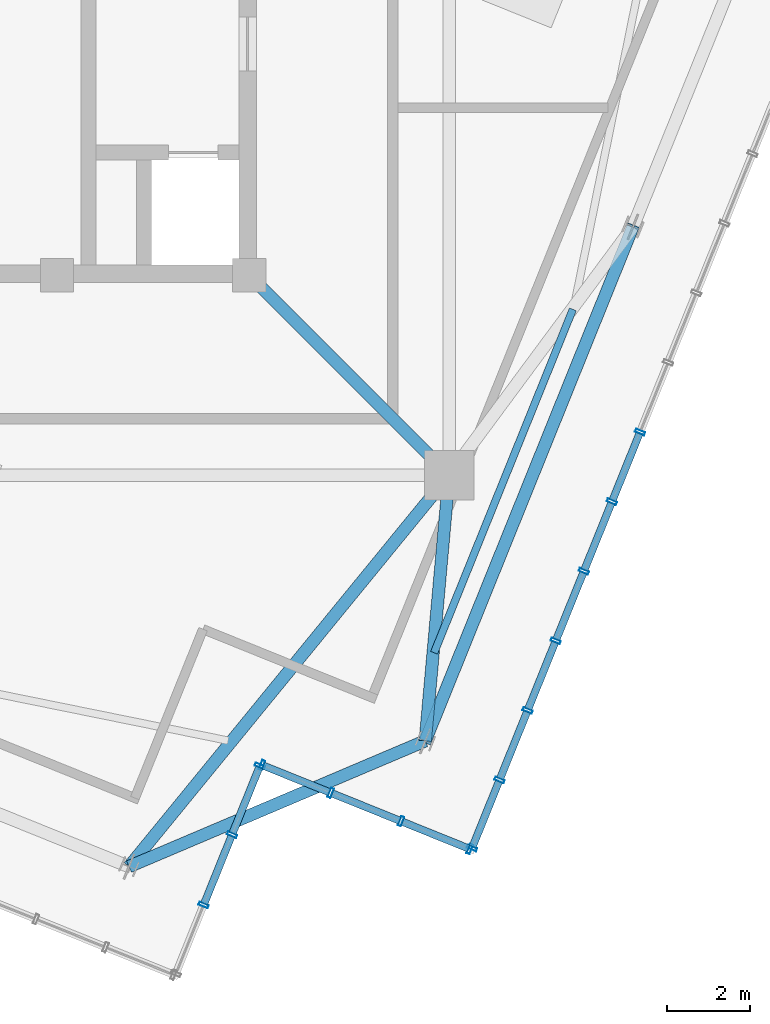
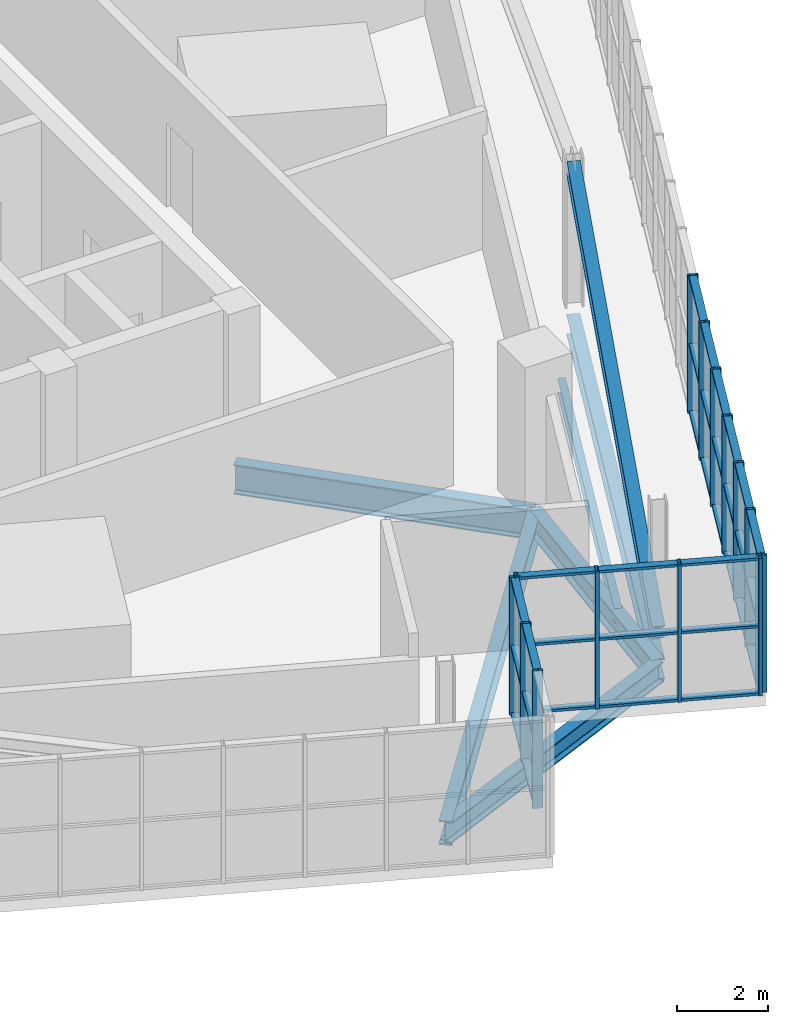
# One storey, part 8 of 26: 48 members, 6 beams, 3 elements without a shape of their own.
"""IFC4 building model written with IfcOpenShell, lengths in metres."""

import ifcopenshell
import ifcopenshell.guid

model = None  # the IFC model being written
_history = None  # IfcOwnerHistory: only IFC2X3 demands one
_inside = {}  # id of a spatial element -> (the spatial element, [elements in it])
_under = {}  # id of a project, library or spatial element -> (it, [spatial elements below it])
_declared = {}  # id of a project -> (the project, [libraries it declares])
_typed = {}  # id of a type object -> (the type object, [elements of that type])
_made_of = {}  # id of a material, layer set ... -> (it, [elements and type objects made of it])


def new_model(schema):
    """Start an empty IFC model of exactly this schema.

    Asked for "IFC4X3", IfcOpenShell would pick the latest addendum, in which some entities
    have other attributes; the version numbers below select the first issue.
    IFC2X3 requires an IfcOwnerHistory on every rooted entity: one is made here for all.
    """
    global model, _history
    if schema == "IFC4X3":
        model = ifcopenshell.file(schema_version=(4, 3, 0, 0))
    else:
        model = ifcopenshell.file(schema=schema)
    _inside.clear()
    _under.clear()
    _declared.clear()
    _typed.clear()
    _made_of.clear()
    _history = None
    if model.schema == "IFC2X3":
        org = make("IfcOrganization", Name="unknown")
        user = make(
            "IfcPersonAndOrganization",
            ThePerson=make("IfcPerson", FamilyName="unknown"),
            TheOrganization=org,
        )
        app = make(
            "IfcApplication",
            ApplicationDeveloper=org,
            Version="unknown",
            ApplicationFullName="unknown",
            ApplicationIdentifier="unknown",
        )
        _history = make(
            "IfcOwnerHistory",
            OwningUser=user,
            OwningApplication=app,
            ChangeAction="ADDED",
            CreationDate=0,
        )
    return model


def make(cls, **values):
    """One entity of the class cls with the attributes given. An attribute that is None is left unset."""
    return model.create_entity(
        cls, **{name: value for name, value in values.items() if value is not None}
    )


def rooted(cls, **values):
    """An entity with a GlobalId (a new one), such as an element, a storey or a relation."""
    return make(cls, GlobalId=ifcopenshell.guid.new(), OwnerHistory=_history, **values)


def si_unit(unit_type, name, prefix=None):
    """IfcSIUnit, for example si_unit("LENGTHUNIT", "METRE", prefix="MILLI")."""
    return make("IfcSIUnit", UnitType=unit_type, Prefix=prefix, Name=name)


def assignment(units):
    """IfcUnitAssignment: the units of a project."""
    return None if units is None else make("IfcUnitAssignment", Units=units)


def point(xyz):
    """IfcCartesianPoint."""
    return None if xyz is None else make("IfcCartesianPoint", Coordinates=xyz)


def direction(xyz):
    """IfcDirection."""
    return None if xyz is None else make("IfcDirection", DirectionRatios=xyz)


def frame(location, z_axis=None, x_axis=None):
    """IfcAxis2Placement3D, a coordinate frame: its origin and axes. An axis left out is left unset."""
    return make(
        "IfcAxis2Placement3D",
        Location=point(location),
        Axis=direction(z_axis),
        RefDirection=direction(x_axis),
    )


def frame_2d(location, x_axis=None):
    """IfcAxis2Placement2D, a coordinate frame in the plane: its origin and x axis."""
    return make(
        "IfcAxis2Placement2D", Location=point(location), RefDirection=direction(x_axis)
    )


def origin():
    """The frame at (0, 0, 0) with its axes left unset."""
    return frame((0.0, 0.0, 0.0))


def origin_2d():
    """The frame at (0, 0) in the plane with its x axis left unset."""
    return frame_2d((0.0, 0.0))


def place(relative_to, where):
    """IfcLocalPlacement: puts the frame where relative to a parent placement (None: the world)."""
    return make(
        "IfcLocalPlacement", PlacementRelTo=relative_to, RelativePlacement=where
    )


def context(
    kind, dimensions, precision=None, world=None, true_north=None, identifier=None
):
    """IfcGeometricRepresentationContext, for example the 3D "Model" context."""
    return make(
        "IfcGeometricRepresentationContext",
        ContextIdentifier=identifier,
        ContextType=kind,
        CoordinateSpaceDimension=dimensions,
        Precision=precision,
        WorldCoordinateSystem=world,
        TrueNorth=true_north,
    )


def subcontext(parent, identifier, kind, view, scale=None):
    """IfcGeometricRepresentationSubContext, for example "Body" below "Model"."""
    return make(
        "IfcGeometricRepresentationSubContext",
        ContextIdentifier=identifier,
        ContextType=kind,
        ParentContext=parent,
        TargetScale=scale,
        TargetView=view,
    )


def project(units=None, contexts=None):
    """IfcProject with its units and contexts."""
    return rooted(
        "IfcProject",
        Name="project",
        RepresentationContexts=contexts,
        UnitsInContext=assignment(units),
    )


def spatial(cls, under=None, at=None, **own):
    """A site, building, storey or space (cls), placed at a placement, below another one or the project."""
    s = rooted(cls, ObjectPlacement=at, **own)
    if under is not None:
        _under.setdefault(under.id(), (under, []))[1].append(s)
    return s


def profile(cls, at=None, kind="AREA", **sizes):
    """A parametric profile (cls). Its sizes go by their IFC names, for example OverallWidth=200.0."""
    return make(cls, ProfileType=kind, Position=at, **sizes)


def hollow_rectangle(**sizes):
    """IfcRectangleHollowProfileDef."""
    return profile("IfcRectangleHollowProfileDef", **sizes)


def i_section(**sizes):
    """IfcIShapeProfileDef."""
    return profile("IfcIShapeProfileDef", **sizes)


def extrude(swept, where, along, depth):
    """IfcExtrudedAreaSolid: the profile swept, set in the frame where, extruded along a direction by depth."""
    return make(
        "IfcExtrudedAreaSolid",
        SweptArea=swept,
        Position=where,
        ExtrudedDirection=direction(along),
        Depth=depth,
    )


def shape(context_of_items, identifier, shape_type, items):
    """IfcShapeRepresentation: the items that make up one representation, for example the "Body"."""
    return make(
        "IfcShapeRepresentation",
        ContextOfItems=context_of_items,
        RepresentationIdentifier=identifier,
        RepresentationType=shape_type,
        Items=items,
    )


def source(mapping_origin, context_of_items, identifier, shape_type, items):
    """IfcRepresentationMap: a shape defined once, which mapped items show again and again."""
    return make(
        "IfcRepresentationMap",
        MappingOrigin=mapping_origin,
        MappedRepresentation=shape(context_of_items, identifier, shape_type, items),
    )


def transform(
    local_origin,
    x_axis=None,
    y_axis=None,
    z_axis=None,
    scale=None,
    scale2=None,
    scale3=None,
    uniform=True,
):
    """IfcCartesianTransformationOperator3D, or its non-uniform kind. x_axis, y_axis, z_axis: its Axis1, 2, 3."""
    if uniform:
        return make(
            "IfcCartesianTransformationOperator3D",
            Axis1=direction(x_axis),
            Axis2=direction(y_axis),
            LocalOrigin=point(local_origin),
            Scale=scale,
            Axis3=direction(z_axis),
        )
    return make(
        "IfcCartesianTransformationOperator3DnonUniform",
        Axis1=direction(x_axis),
        Axis2=direction(y_axis),
        LocalOrigin=point(local_origin),
        Scale=scale,
        Axis3=direction(z_axis),
        Scale2=scale2,
        Scale3=scale3,
    )


def mapped(mapping_source, mapping_target):
    """IfcMappedItem: shows the shape of a source again, moved by a transform."""
    return make(
        "IfcMappedItem", MappingSource=mapping_source, MappingTarget=mapping_target
    )


def material(Name=None, Category=None):
    """IfcMaterial."""
    return make("IfcMaterial", Name=Name, Category=Category)


def layer(
    of_material, thickness, ventilated=None, Name=None, Category=None, Priority=None
):
    """IfcMaterialLayer: one layer of a wall or slab, of a material (None: an air gap)."""
    return make(
        "IfcMaterialLayer",
        Material=of_material,
        LayerThickness=thickness,
        IsVentilated=ventilated,
        Name=Name,
        Category=Category,
        Priority=Priority,
    )


def layer_set(layers, Name=None):
    """IfcMaterialLayerSet."""
    return make("IfcMaterialLayerSet", MaterialLayers=layers, LayerSetName=Name)


def material_profile(
    of_material, cross_section, Name=None, Category=None, Priority=None
):
    """IfcMaterialProfile: a cross section and its material."""
    return make(
        "IfcMaterialProfile",
        Name=Name,
        Material=of_material,
        Profile=cross_section,
        Priority=Priority,
        Category=Category,
    )


def profile_set(profiles, Name=None, composite=None):
    """IfcMaterialProfileSet."""
    return make(
        "IfcMaterialProfileSet",
        Name=Name,
        MaterialProfiles=profiles,
        CompositeProfile=composite,
    )


def made_of(thing, what):
    """Note that an element or type object is made of a material, layer set ...; save() writes the relation."""
    if what is not None:
        _made_of.setdefault(what.id(), (what, []))[1].append(thing)
    return thing


def type_object(cls, material=None, **own):
    """A type object (cls), such as IfcWallType, which elements share."""
    return made_of(rooted(cls, **own), material)


def element(
    cls,
    number,
    at=None,
    inside=None,
    cuts=None,
    type_object=None,
    material=None,
    context=None,
    identifier="Body",
    shape_type=None,
    held_by="IfcProductDefinitionShape",
    body=None,
    shapes=None,
    **own,
):
    """One element of the class cls, such as IfcWall. Its Tag is "e" and its number.

    at: its placement. inside: the storey or other place that contains it. cuts: it is an
    opening in that element (IfcRelVoidsElement). A single representation is given by context,
    identifier, shape_type and body (its items); several are given by shapes. held_by: the class
    of the entity that holds the representations. save() writes the other relations.
    """
    e = rooted(cls, Tag="e%d" % number, ObjectPlacement=at, **own)
    if body is not None:
        shapes = [shape(context, identifier, shape_type, body)]
    if shapes is not None:
        e.Representation = make(held_by, Representations=shapes)
    if inside is not None:
        _inside.setdefault(inside.id(), (inside, []))[1].append(e)
    if cuts is not None:
        rooted(
            "IfcRelVoidsElement", RelatingBuildingElement=cuts, RelatedOpeningElement=e
        )
    if type_object is not None:
        _typed.setdefault(type_object.id(), (type_object, []))[1].append(e)
    return made_of(e, material)


def aggregate(whole, parts):
    """IfcRelAggregates: a whole, such as a stair, and the parts it consists of."""
    return rooted("IfcRelAggregates", RelatingObject=whole, RelatedObjects=parts)


def save(model, path):
    """Write the relations noted so far, then the file.

    IfcRelAggregates (storeys below a building ...), IfcRelContainedInSpatialStructure (elements
    in a storey), IfcRelDefinesByType, IfcRelAssociatesMaterial and IfcRelDeclares: one each for
    every whole, place, type object, material and project.
    """
    for whole, parts in _under.values():
        aggregate(whole, parts)
    for where, things in _inside.values():
        rooted(
            "IfcRelContainedInSpatialStructure",
            RelatedElements=things,
            RelatingStructure=where,
        )
    for kind, things in _typed.values():
        rooted("IfcRelDefinesByType", RelatedObjects=things, RelatingType=kind)
    for what, things in _made_of.values():
        rooted("IfcRelAssociatesMaterial", RelatedObjects=things, RelatingMaterial=what)
    for by, libraries in _declared.values():
        rooted("IfcRelDeclares", RelatingContext=by, RelatedDefinitions=libraries)
    model.write(path)


model = new_model("IFC4")

# Units and contexts
model_context = context("Model", 3, precision=1e-05, world=origin(), true_north=direction((0.0, 1.0)))
body_context = subcontext(model_context, "Body", "Model", "MODEL_VIEW")
ifc_project = project(units=[si_unit("LENGTHUNIT", "METRE"), si_unit("AREAUNIT", "SQUARE_METRE"), si_unit("VOLUMEUNIT", "CUBIC_METRE"), si_unit("PLANEANGLEUNIT", "RADIAN"), si_unit("MASSUNIT", "GRAM", prefix="KILO"), si_unit("THERMODYNAMICTEMPERATUREUNIT", "KELVIN")], contexts=[model_context])

# Site, building, storey
site_placement = place(None, origin())
site = spatial("IfcSite", under=ifc_project, at=site_placement, CompositionType="ELEMENT")
building_placement = place(site_placement, origin())
building = spatial("IfcBuilding", under=site, at=building_placement, Name="Kosmvard Interchange Tower", CompositionType="ELEMENT")
storey_placement = place(building_placement, frame((0.0, 0.0, 337.60009765625)))
storey = spatial("IfcBuildingStorey", under=building, at=storey_placement, Name="L83", CompositionType="ELEMENT", Elevation=337.60009765625)

# Beam
ifc_material_1 = material(Name="Steel S355", Category="steel")
ifc_material_profile_1 = material_profile(ifc_material_1, i_section(OverallWidth=0.300048828125, OverallDepth=0.800048828125, WebThickness=0.017578125, FlangeThickness=0.032958984375, FilletRadius=0.027099609375, at=origin_2d()), Name="HEB 800")
ifc_profile_set_1 = profile_set([ifc_material_profile_1], Name="Steel S355")
beam_type_1 = type_object("IfcBeamType", Name="Primary Mega-Frame Girder HEB 800 S355", PredefinedType="BEAM", material=ifc_profile_set_1)
shared_shape_1 = source(origin(), body_context, "Body", "SweptSolid", [
    extrude(i_section(OverallWidth=0.300048828125, OverallDepth=0.800048828125, WebThickness=0.017578125, FlangeThickness=0.032958984375, FilletRadius=0.027099609375, at=origin_2d()), origin(), (0.0, 0.0, 1.0), 6.83203125),
])
beam_1_placement = place(storey_placement, frame((8.25, -8.25, -0.7001953125), z_axis=(0.707106781187, -0.707106781187, 0.0), x_axis=(0.707106781187, 0.707106781187, 0.0)))
element("IfcBeam", 1, at=beam_1_placement, inside=storey, type_object=beam_type_1, Name="L83 Radial Mega-Frame Girder 2", PredefinedType="BEAM", context=body_context, shape_type="MappedRepresentation", body=[
    mapped(shared_shape_1, transform((0.0, 0.0, 0.0), scale=1.0)),
])

# Member
ifc_material_profile_2 = material_profile(ifc_material_1, i_section(OverallWidth=0.300048828125, OverallDepth=0.39990234375, WebThickness=0.013427734375, FlangeThickness=0.02392578125, FilletRadius=0.027099609375, at=origin_2d()), Name="HEB 400")
ifc_profile_set_2 = profile_set([ifc_material_profile_2], Name="Steel S355")
member_type_1 = type_object("IfcMemberType", Name="Lantern Crown Diagrid Brace HEB 400 S355", PredefinedType="BRACE", material=ifc_profile_set_2)
shared_shape_2 = source(origin(), body_context, "Body", "SweptSolid", [
    extrude(i_section(OverallWidth=0.300048828125, OverallDepth=0.39990234375, WebThickness=0.013427734375, FlangeThickness=0.02392578125, FilletRadius=0.027099609375, at=origin_2d()), origin(), (0.0, 0.0, 1.0), 13.78369140625),
])
member_1_placement = place(storey_placement, frame((12.504150390625, -19.50439453125, 0.419921875), z_axis=(0.364162635972, 0.901373372792, 0.234332279859), x_axis=(-0.927189515839, 0.374592580972, 0.0)))
element("IfcMember", 2, at=member_1_placement, inside=storey, type_object=member_type_1, Name="L83 Crown Lantern Diagrid Brace S1", PredefinedType="BRACE", context=body_context, shape_type="MappedRepresentation", body=[
    mapped(shared_shape_2, transform((0.0, 0.0, 0.0), scale=1.0)),
])

# Beams
ifc_material_profile_3 = material_profile(ifc_material_1, i_section(OverallWidth=0.300048828125, OverallDepth=0.550048828125, WebThickness=0.014892578125, FlangeThickness=0.029052734375, FilletRadius=0.027099609375, at=origin_2d()), Name="HEB 550")
ifc_profile_set_3 = profile_set([ifc_material_profile_3], Name="Steel S355")
beam_type_2 = type_object("IfcBeamType", Name="Crown Ring Cap Girder HEB 550 S355", PredefinedType="BEAM", material=ifc_profile_set_3)
shared_shape_3 = source(origin(), body_context, "Body", "SweptSolid", [
    extrude(i_section(OverallWidth=0.300048828125, OverallDepth=0.550048828125, WebThickness=0.014892578125, FlangeThickness=0.029052734375, FilletRadius=0.027099609375, at=origin_2d()), origin(), (0.0, 0.0, 1.0), 13.39990234375),
])
beam_2_placement = place(storey_placement, frame((12.504150390625, -19.50439453125, -0.5751953125), z_axis=(0.374592580972, 0.927189515839, 0.0), x_axis=(-0.927189515839, 0.374592580972, 0.0)))
element("IfcBeam", 3, at=beam_2_placement, inside=storey, type_object=beam_type_2, Name="BM-L83-PR01", PredefinedType="BEAM", context=body_context, shape_type="MappedRepresentation", body=[
    mapped(shared_shape_3, transform((0.0, 0.0, 0.0), scale=1.0)),
])
ifc_material_profile_4 = material_profile(ifc_material_1, i_section(OverallWidth=0.300048828125, OverallDepth=0.64990234375, WebThickness=0.01611328125, FlangeThickness=0.031005859375, FilletRadius=0.027099609375, at=origin_2d()), Name="HEB 650")
ifc_profile_set_4 = profile_set([ifc_material_profile_4], Name="Steel S355")
beam_type_3 = type_object("IfcBeamType", Name="Primary Floor Girder HEB 650 S355", PredefinedType="BEAM", material=ifc_profile_set_4)
shared_shape_4 = source(origin(), body_context, "Body", "SweptSolid", [
    extrude(i_section(OverallWidth=0.300048828125, OverallDepth=0.64990234375, WebThickness=0.01611328125, FlangeThickness=0.031005859375, FilletRadius=0.027099609375, at=origin_2d()), origin(), (0.0, 0.0, 1.0), 6.44921875),
])
beam_3_placement = place(storey_placement, frame((13.0810546875, -13.0810546875, -0.625), z_axis=(-0.089453694068, -0.995990982197, 0.0), x_axis=(0.995990982197, -0.089453694068, 0.0)))
element("IfcBeam", 4, at=beam_3_placement, inside=storey, type_object=beam_type_3, Name="BM-L83-RD01", PredefinedType="BEAM", context=body_context, shape_type="MappedRepresentation", body=[
    mapped(shared_shape_4, transform((0.0, 0.0, 0.0), scale=1.0)),
])
shared_shape_5 = source(origin(), body_context, "Body", "SweptSolid", [
    extrude(i_section(OverallWidth=0.300048828125, OverallDepth=0.550048828125, WebThickness=0.014892578125, FlangeThickness=0.029052734375, FilletRadius=0.027099609375, at=origin_2d()), origin(), (0.0, 0.0, 1.0), 7.778076171875),
])
beam_4_placement = place(storey_placement, frame((5.34423828125, -22.54345703125, -0.5751953125), z_axis=(0.92051132134, 0.39071589075, 0.0), x_axis=(-0.39071589075, 0.92051132134, 0.0)))
element("IfcBeam", 5, at=beam_4_placement, inside=storey, type_object=beam_type_2, Name="BM-L83-PR12", PredefinedType="BEAM", context=body_context, shape_type="MappedRepresentation", body=[
    mapped(shared_shape_5, transform((0.0, 0.0, 0.0), scale=1.0)),
])
shared_shape_6 = source(origin(), body_context, "Body", "SweptSolid", [
    extrude(i_section(OverallWidth=0.300048828125, OverallDepth=0.64990234375, WebThickness=0.01611328125, FlangeThickness=0.031005859375, FilletRadius=0.027099609375, at=origin_2d()), origin(), (0.0, 0.0, 1.0), 12.22265625),
])
beam_5_placement = place(storey_placement, frame((13.0810546875, -13.0810546875, -0.625), z_axis=(-0.632985408079, -0.774163725034, 0.0), x_axis=(0.774163725034, -0.632985408079, 0.0)))
element("IfcBeam", 6, at=beam_5_placement, inside=storey, type_object=beam_type_3, Name="BM-L83-RD12", PredefinedType="BEAM", context=body_context, shape_type="MappedRepresentation", body=[
    mapped(shared_shape_6, transform((0.0, 0.0, 0.0), scale=1.0)),
])
ifc_material_profile_5 = material_profile(ifc_material_1, i_section(OverallWidth=0.179931640625, OverallDepth=0.39990234375, WebThickness=0.008544921875, FlangeThickness=0.013427734375, FilletRadius=0.02099609375, at=origin_2d()), Name="IPE 400")
ifc_profile_set_5 = profile_set([ifc_material_profile_5], Name="Steel S355")
beam_type_4 = type_object("IfcBeamType", Name="Upper-Zone Floor Joist IPE 400 S355", PredefinedType="JOIST", material=ifc_profile_set_5)
shared_shape_7 = source(origin(), body_context, "Body", "SweptSolid", [
    extrude(i_section(OverallWidth=0.179931640625, OverallDepth=0.39990234375, WebThickness=0.008544921875, FlangeThickness=0.013427734375, FilletRadius=0.02099609375, at=origin_2d()), origin(), (0.0, 0.0, 1.0), 8.9521484375),
])
beam_6_placement = place(storey_placement, frame((12.71875, -17.374755859375, -0.5), z_axis=(0.374581187736, 0.927194118723, 0.0), x_axis=(-0.927194118723, 0.374581187736, 0.0)))
element("IfcBeam", 7, at=beam_6_placement, inside=storey, type_object=beam_type_4, Name="BM-L83-FJ01", PredefinedType="JOIST", context=body_context, shape_type="MappedRepresentation", body=[
    mapped(shared_shape_7, transform((0.0, 0.0, 0.0), scale=1.0)),
])

# Curtain wall, members
ifc_material_2 = material(Name="Architectural anodised aluminium", Category="aluminium")
ifc_layer = layer(ifc_material_2, 0.25, Name="Architectural anodised aluminium")
ifc_layer_set = layer_set([ifc_layer], Name="Architectural anodised aluminium")
curtain_wall_type = type_object("IfcCurtainWallType", Name="CW-6 Illuminated Crown Lantern Curtain Wall", PredefinedType="NOTDEFINED", material=ifc_layer_set)
curtain_wall_1_placement = place(storey_placement, origin())
curtain_wall_1 = element("IfcCurtainWall", 8, at=curtain_wall_1_placement, inside=storey, type_object=curtain_wall_type, Name="L83 Crown Lantern Glazing Face 01", PredefinedType="NOTDEFINED")
ifc_material_profile_6 = material_profile(ifc_material_2, hollow_rectangle(XDim=0.239990234375, YDim=0.080078125, WallThickness=0.006103515625, at=origin_2d()), Name="CWM 240x80x6")
ifc_profile_set_6 = profile_set([ifc_material_profile_6], Name="Architectural anodised aluminium")
member_type_2 = type_object("IfcMemberType", Name="Lantern & Observation CW Mullion 240x80 Aluminium", PredefinedType="MULLION", material=ifc_profile_set_6)
shared_shape_8 = source(origin(), body_context, "Body", "SweptSolid", [
    extrude(hollow_rectangle(XDim=0.239990234375, YDim=0.080078125, WallThickness=0.006103515625, at=origin_2d()), origin(), (0.0, 0.0, 1.0), 3.699951171875),
])
member_2_placement = place(storey_placement, frame((13.63525390625, -22.096923828125, 0.0), z_axis=(0.0, 0.0, 1.0), x_axis=(-0.927183858065, 0.374606584758, 0.0)))
member_2 = element("IfcMember", 9, at=member_2_placement, type_object=member_type_2, Name="CW-6 mullion 1", PredefinedType="MULLION", context=body_context, shape_type="MappedRepresentation", body=[
    mapped(shared_shape_8, transform((0.0, 0.0, 0.0), scale=1.0)),
])
member_3_placement = place(storey_placement, frame((14.2998046875, -20.451904296875, 0.0), z_axis=(0.0, 0.0, 1.0), x_axis=(-0.927183858065, 0.374606584758, 0.0)))
member_3 = element("IfcMember", 10, at=member_3_placement, type_object=member_type_2, Name="CW-6 mullion 2", PredefinedType="MULLION", context=body_context, shape_type="MappedRepresentation", body=[
    mapped(shared_shape_8, transform((0.0, 0.0, 0.0), scale=1.0)),
])
member_4_placement = place(storey_placement, frame((14.9794921875, -18.77001953125, 0.0), z_axis=(0.0, 0.0, 1.0), x_axis=(-0.927183858065, 0.374606584758, 0.0)))
member_4 = element("IfcMember", 11, at=member_4_placement, type_object=member_type_2, Name="CW-6 mullion 3", PredefinedType="MULLION", context=body_context, shape_type="MappedRepresentation", body=[
    mapped(shared_shape_8, transform((0.0, 0.0, 0.0), scale=1.0)),
])
member_5_placement = place(storey_placement, frame((15.658935546875, -17.087890625, 0.0), z_axis=(0.0, 0.0, 1.0), x_axis=(-0.927183858065, 0.374606584758, 0.0)))
member_5 = element("IfcMember", 12, at=member_5_placement, type_object=member_type_2, Name="CW-6 mullion 4", PredefinedType="MULLION", context=body_context, shape_type="MappedRepresentation", body=[
    mapped(shared_shape_8, transform((0.0, 0.0, 0.0), scale=1.0)),
])
member_6_placement = place(storey_placement, frame((16.338623046875, -15.40576171875, 0.0), z_axis=(0.0, 0.0, 1.0), x_axis=(-0.927183858065, 0.374606584758, 0.0)))
member_6 = element("IfcMember", 13, at=member_6_placement, type_object=member_type_2, Name="CW-6 mullion 5", PredefinedType="MULLION", context=body_context, shape_type="MappedRepresentation", body=[
    mapped(shared_shape_8, transform((0.0, 0.0, 0.0), scale=1.0)),
])
member_7_placement = place(storey_placement, frame((17.01806640625, -13.723876953125, 0.0), z_axis=(0.0, 0.0, 1.0), x_axis=(-0.927183858065, 0.374606584758, 0.0)))
member_7 = element("IfcMember", 14, at=member_7_placement, type_object=member_type_2, Name="CW-6 mullion 6", PredefinedType="MULLION", context=body_context, shape_type="MappedRepresentation", body=[
    mapped(shared_shape_8, transform((0.0, 0.0, 0.0), scale=1.0)),
])
member_8_placement = place(storey_placement, frame((17.69775390625, -12.041748046875, 0.0), z_axis=(0.0, 0.0, 1.0), x_axis=(-0.927183858065, 0.374606584758, 0.0)))
member_8 = element("IfcMember", 15, at=member_8_placement, type_object=member_type_2, Name="CW-6 mullion 7", PredefinedType="MULLION", context=body_context, shape_type="MappedRepresentation", body=[
    mapped(shared_shape_8, transform((0.0, 0.0, 0.0), scale=1.0)),
])

curtain_wall_2_placement = place(storey_placement, origin())
curtain_wall_2 = element("IfcCurtainWall", 16, at=curtain_wall_2_placement, inside=storey, type_object=curtain_wall_type, Name="L83 Crown Lantern Glazing Face 11", PredefinedType="NOTDEFINED")
member_9_placement = place(storey_placement, frame((7.147216796875, -23.473388671875, 0.0), z_axis=(0.0, 0.0, 1.0), x_axis=(-0.92718386612, 0.374606564822, 0.0)))
member_9 = element("IfcMember", 17, at=member_9_placement, type_object=member_type_2, Name="CW-6 mullion 2", PredefinedType="MULLION", context=body_context, shape_type="MappedRepresentation", body=[
    mapped(shared_shape_8, transform((0.0, 0.0, 0.0), scale=1.0)),
])
member_10_placement = place(storey_placement, frame((7.833984375, -21.7734375, 0.0), z_axis=(0.0, 0.0, 1.0), x_axis=(-0.92718386612, 0.374606564822, 0.0)))
member_10 = element("IfcMember", 18, at=member_10_placement, type_object=member_type_2, Name="CW-6 mullion 3", PredefinedType="MULLION", context=body_context, shape_type="MappedRepresentation", body=[
    mapped(shared_shape_8, transform((0.0, 0.0, 0.0), scale=1.0)),
])
member_11_placement = place(storey_placement, frame((8.505859375, -20.110595703125, 0.0), z_axis=(0.0, 0.0, 1.0), x_axis=(-0.92718386612, 0.374606564822, 0.0)))
member_11 = element("IfcMember", 19, at=member_11_placement, type_object=member_type_2, Name="CW-6 mullion 4", PredefinedType="MULLION", context=body_context, shape_type="MappedRepresentation", body=[
    mapped(shared_shape_8, transform((0.0, 0.0, 0.0), scale=1.0)),
])

curtain_wall_3_placement = place(storey_placement, origin())
curtain_wall_3 = element("IfcCurtainWall", 20, at=curtain_wall_3_placement, inside=storey, type_object=curtain_wall_type, Name="L83 Crown Lantern Glazing Face 12", PredefinedType="NOTDEFINED")
member_12_placement = place(storey_placement, frame((8.557861328125, -20.088623046875, 0.0), z_axis=(0.0, 0.0, 1.0), x_axis=(0.374606501678, 0.927183891631, 0.0)))
member_12 = element("IfcMember", 21, at=member_12_placement, type_object=member_type_2, Name="CW-6 mullion 1", PredefinedType="MULLION", context=body_context, shape_type="MappedRepresentation", body=[
    mapped(shared_shape_8, transform((0.0, 0.0, 0.0), scale=1.0)),
])
member_13_placement = place(storey_placement, frame((10.220458984375, -20.760498046875, 0.0), z_axis=(0.0, 0.0, 1.0), x_axis=(0.374606501678, 0.927183891631, 0.0)))
member_13 = element("IfcMember", 22, at=member_13_placement, type_object=member_type_2, Name="CW-6 mullion 2", PredefinedType="MULLION", context=body_context, shape_type="MappedRepresentation", body=[
    mapped(shared_shape_8, transform((0.0, 0.0, 0.0), scale=1.0)),
])
member_14_placement = place(storey_placement, frame((11.92041015625, -21.447265625, 0.0), z_axis=(0.0, 0.0, 1.0), x_axis=(0.374606501678, 0.927183891631, 0.0)))
member_14 = element("IfcMember", 23, at=member_14_placement, type_object=member_type_2, Name="CW-6 mullion 3", PredefinedType="MULLION", context=body_context, shape_type="MappedRepresentation", body=[
    mapped(shared_shape_8, transform((0.0, 0.0, 0.0), scale=1.0)),
])
member_15_placement = place(storey_placement, frame((13.583251953125, -22.118896484375, 0.0), z_axis=(0.0, 0.0, 1.0), x_axis=(0.374606501678, 0.927183891631, 0.0)))
member_15 = element("IfcMember", 24, at=member_15_placement, type_object=member_type_2, Name="CW-6 mullion 4", PredefinedType="MULLION", context=body_context, shape_type="MappedRepresentation", body=[
    mapped(shared_shape_8, transform((0.0, 0.0, 0.0), scale=1.0)),
])

# Member
ifc_material_profile_7 = material_profile(ifc_material_2, hollow_rectangle(XDim=0.179931640625, YDim=0.070068359375, WallThickness=0.0048828125, at=origin_2d()), Name="CWT 180x70x5")
ifc_profile_set_7 = profile_set([ifc_material_profile_7], Name="Architectural anodised aluminium")
member_type_3 = type_object("IfcMemberType", Name="Heavy Lantern CW Transom 180x70 Aluminium", PredefinedType="USERDEFINED", material=ifc_profile_set_7)
shared_shape_9 = source(origin(), body_context, "Body", "SweptSolid", [
    extrude(hollow_rectangle(XDim=0.179931640625, YDim=0.070068359375, WallThickness=0.0048828125, at=origin_2d()), origin(), (0.0, 0.0, 1.0), 1.694091796875),
])
member_16_placement = place(storey_placement, frame((13.650146484375, -22.059814453125, 0.034912109375), z_axis=(0.374667946298, 0.927159064032, 0.0), x_axis=(-0.927159064032, 0.374667946298, 0.0)))
member_16 = element("IfcMember", 25, at=member_16_placement, type_object=member_type_3, Name="CW-6 transom 1.1", ObjectType="TRANSOM", PredefinedType="USERDEFINED", context=body_context, shape_type="MappedRepresentation", body=[
    mapped(shared_shape_9, transform((0.0, 0.0, 0.0), scale=1.0)),
])

member_17_placement = place(storey_placement, frame((13.650146484375, -22.059814453125, 1.849853515625), z_axis=(0.374667946298, 0.927159064032, 0.0), x_axis=(-0.927159064032, 0.374667946298, 0.0)))
member_17 = element("IfcMember", 26, at=member_17_placement, type_object=member_type_3, Name="CW-6 transom 1.2", ObjectType="TRANSOM", PredefinedType="USERDEFINED", context=body_context, shape_type="MappedRepresentation", body=[
    mapped(shared_shape_9, transform((0.0, 0.0, 0.0), scale=1.0)),
])

member_18_placement = place(storey_placement, frame((13.650146484375, -22.059814453125, 3.664794921875), z_axis=(0.374667946298, 0.927159064032, 0.0), x_axis=(-0.927159064032, 0.374667946298, 0.0)))
member_18 = element("IfcMember", 27, at=member_18_placement, type_object=member_type_3, Name="CW-6 transom 1.3", ObjectType="TRANSOM", PredefinedType="USERDEFINED", context=body_context, shape_type="MappedRepresentation", body=[
    mapped(shared_shape_9, transform((0.0, 0.0, 0.0), scale=1.0)),
])

shared_shape_10 = source(origin(), body_context, "Body", "SweptSolid", [
    extrude(hollow_rectangle(XDim=0.179931640625, YDim=0.070068359375, WallThickness=0.0048828125, at=origin_2d()), origin(), (0.0, 0.0, 1.0), 1.734130859375),
])
member_19_placement = place(storey_placement, frame((14.314697265625, -20.414794921875, 0.034912109375), z_axis=(0.374616671924, 0.927179782522, 0.0), x_axis=(-0.927179782522, 0.374616671924, 0.0)))
member_19 = element("IfcMember", 28, at=member_19_placement, type_object=member_type_3, Name="CW-6 transom 2.1", ObjectType="TRANSOM", PredefinedType="USERDEFINED", context=body_context, shape_type="MappedRepresentation", body=[
    mapped(shared_shape_10, transform((0.0, 0.0, 0.0), scale=1.0)),
])

member_20_placement = place(storey_placement, frame((14.314697265625, -20.414794921875, 1.849853515625), z_axis=(0.374616671924, 0.927179782522, 0.0), x_axis=(-0.927179782522, 0.374616671924, 0.0)))
member_20 = element("IfcMember", 29, at=member_20_placement, type_object=member_type_3, Name="CW-6 transom 2.2", ObjectType="TRANSOM", PredefinedType="USERDEFINED", context=body_context, shape_type="MappedRepresentation", body=[
    mapped(shared_shape_10, transform((0.0, 0.0, 0.0), scale=1.0)),
])

member_21_placement = place(storey_placement, frame((14.314697265625, -20.414794921875, 3.664794921875), z_axis=(0.374616671924, 0.927179782522, 0.0), x_axis=(-0.927179782522, 0.374616671924, 0.0)))
member_21 = element("IfcMember", 30, at=member_21_placement, type_object=member_type_3, Name="CW-6 transom 2.3", ObjectType="TRANSOM", PredefinedType="USERDEFINED", context=body_context, shape_type="MappedRepresentation", body=[
    mapped(shared_shape_10, transform((0.0, 0.0, 0.0), scale=1.0)),
])

member_22_placement = place(storey_placement, frame((14.994384765625, -18.73291015625, 0.034912109375), z_axis=(0.374616671924, 0.927179782522, 0.0), x_axis=(-0.927179782522, 0.374616671924, 0.0)))
member_22 = element("IfcMember", 31, at=member_22_placement, type_object=member_type_3, Name="CW-6 transom 3.1", ObjectType="TRANSOM", PredefinedType="USERDEFINED", context=body_context, shape_type="MappedRepresentation", body=[
    mapped(shared_shape_10, transform((0.0, 0.0, 0.0), scale=1.0)),
])

member_23_placement = place(storey_placement, frame((14.994384765625, -18.73291015625, 1.849853515625), z_axis=(0.374616671924, 0.927179782522, 0.0), x_axis=(-0.927179782522, 0.374616671924, 0.0)))
member_23 = element("IfcMember", 32, at=member_23_placement, type_object=member_type_3, Name="CW-6 transom 3.2", ObjectType="TRANSOM", PredefinedType="USERDEFINED", context=body_context, shape_type="MappedRepresentation", body=[
    mapped(shared_shape_10, transform((0.0, 0.0, 0.0), scale=1.0)),
])

member_24_placement = place(storey_placement, frame((14.994384765625, -18.73291015625, 3.664794921875), z_axis=(0.374616671924, 0.927179782522, 0.0), x_axis=(-0.927179782522, 0.374616671924, 0.0)))
member_24 = element("IfcMember", 33, at=member_24_placement, type_object=member_type_3, Name="CW-6 transom 3.3", ObjectType="TRANSOM", PredefinedType="USERDEFINED", context=body_context, shape_type="MappedRepresentation", body=[
    mapped(shared_shape_10, transform((0.0, 0.0, 0.0), scale=1.0)),
])

member_25_placement = place(storey_placement, frame((15.674072265625, -17.05078125, 0.034912109375), z_axis=(0.374495638732, 0.927228675447, 0.0), x_axis=(-0.927228675447, 0.374495638732, 0.0)))
member_25 = element("IfcMember", 34, at=member_25_placement, type_object=member_type_3, Name="CW-6 transom 4.1", ObjectType="TRANSOM", PredefinedType="USERDEFINED", context=body_context, shape_type="MappedRepresentation", body=[
    mapped(shared_shape_10, transform((0.0, 0.0, 0.0), scale=1.0)),
])

member_26_placement = place(storey_placement, frame((15.674072265625, -17.05078125, 1.849853515625), z_axis=(0.374495638732, 0.927228675447, 0.0), x_axis=(-0.927228675447, 0.374495638732, 0.0)))
member_26 = element("IfcMember", 35, at=member_26_placement, type_object=member_type_3, Name="CW-6 transom 4.2", ObjectType="TRANSOM", PredefinedType="USERDEFINED", context=body_context, shape_type="MappedRepresentation", body=[
    mapped(shared_shape_10, transform((0.0, 0.0, 0.0), scale=1.0)),
])

member_27_placement = place(storey_placement, frame((15.674072265625, -17.05078125, 3.664794921875), z_axis=(0.374495638732, 0.927228675447, 0.0), x_axis=(-0.927228675447, 0.374495638732, 0.0)))
member_27 = element("IfcMember", 36, at=member_27_placement, type_object=member_type_3, Name="CW-6 transom 4.3", ObjectType="TRANSOM", PredefinedType="USERDEFINED", context=body_context, shape_type="MappedRepresentation", body=[
    mapped(shared_shape_10, transform((0.0, 0.0, 0.0), scale=1.0)),
])

member_28_placement = place(storey_placement, frame((16.353515625, -15.368896484375, 0.034912109375), z_axis=(0.374616671924, 0.927179782522, 0.0), x_axis=(-0.927179782522, 0.374616671924, 0.0)))
member_28 = element("IfcMember", 37, at=member_28_placement, type_object=member_type_3, Name="CW-6 transom 5.1", ObjectType="TRANSOM", PredefinedType="USERDEFINED", context=body_context, shape_type="MappedRepresentation", body=[
    mapped(shared_shape_10, transform((0.0, 0.0, 0.0), scale=1.0)),
])

member_29_placement = place(storey_placement, frame((16.353515625, -15.368896484375, 1.849853515625), z_axis=(0.374616671924, 0.927179782522, 0.0), x_axis=(-0.927179782522, 0.374616671924, 0.0)))
member_29 = element("IfcMember", 38, at=member_29_placement, type_object=member_type_3, Name="CW-6 transom 5.2", ObjectType="TRANSOM", PredefinedType="USERDEFINED", context=body_context, shape_type="MappedRepresentation", body=[
    mapped(shared_shape_10, transform((0.0, 0.0, 0.0), scale=1.0)),
])

member_30_placement = place(storey_placement, frame((16.353515625, -15.368896484375, 3.664794921875), z_axis=(0.374616671924, 0.927179782522, 0.0), x_axis=(-0.927179782522, 0.374616671924, 0.0)))
member_30 = element("IfcMember", 39, at=member_30_placement, type_object=member_type_3, Name="CW-6 transom 5.3", ObjectType="TRANSOM", PredefinedType="USERDEFINED", context=body_context, shape_type="MappedRepresentation", body=[
    mapped(shared_shape_10, transform((0.0, 0.0, 0.0), scale=1.0)),
])

member_31_placement = place(storey_placement, frame((17.033203125, -13.686767578125, 0.034912109375), z_axis=(0.374616671924, 0.927179782522, 0.0), x_axis=(-0.927179782522, 0.374616671924, 0.0)))
member_31 = element("IfcMember", 40, at=member_31_placement, type_object=member_type_3, Name="CW-6 transom 6.1", ObjectType="TRANSOM", PredefinedType="USERDEFINED", context=body_context, shape_type="MappedRepresentation", body=[
    mapped(shared_shape_10, transform((0.0, 0.0, 0.0), scale=1.0)),
])

member_32_placement = place(storey_placement, frame((17.033203125, -13.686767578125, 1.849853515625), z_axis=(0.374616671924, 0.927179782522, 0.0), x_axis=(-0.927179782522, 0.374616671924, 0.0)))
member_32 = element("IfcMember", 41, at=member_32_placement, type_object=member_type_3, Name="CW-6 transom 6.2", ObjectType="TRANSOM", PredefinedType="USERDEFINED", context=body_context, shape_type="MappedRepresentation", body=[
    mapped(shared_shape_10, transform((0.0, 0.0, 0.0), scale=1.0)),
])

member_33_placement = place(storey_placement, frame((17.033203125, -13.686767578125, 3.664794921875), z_axis=(0.374616671924, 0.927179782522, 0.0), x_axis=(-0.927179782522, 0.374616671924, 0.0)))
member_33 = element("IfcMember", 42, at=member_33_placement, type_object=member_type_3, Name="CW-6 transom 6.3", ObjectType="TRANSOM", PredefinedType="USERDEFINED", context=body_context, shape_type="MappedRepresentation", body=[
    mapped(shared_shape_10, transform((0.0, 0.0, 0.0), scale=1.0)),
])

aggregate(curtain_wall_1, [member_2, member_3, member_4, member_5, member_6, member_7, member_8, member_16, member_17, member_18, member_19, member_20, member_21, member_22, member_23, member_24, member_25, member_26, member_27, member_28, member_29, member_30, member_31, member_32, member_33])

shared_shape_11 = source(origin(), body_context, "Body", "SweptSolid", [
    extrude(hollow_rectangle(XDim=0.179931640625, YDim=0.070068359375, WallThickness=0.0048828125, at=origin_2d()), origin(), (0.0, 0.0, 1.0), 1.71337890625),
])
member_34_placement = place(storey_placement, frame((7.848876953125, -21.736328125, 0.034912109375), z_axis=(0.374606758599, 0.927183787829, 0.0), x_axis=(-0.927183787829, 0.374606758599, 0.0)))
member_34 = element("IfcMember", 43, at=member_34_placement, type_object=member_type_3, Name="CW-6 transom 3.1", ObjectType="TRANSOM", PredefinedType="USERDEFINED", context=body_context, shape_type="MappedRepresentation", body=[
    mapped(shared_shape_11, transform((0.0, 0.0, 0.0), scale=1.0)),
])

member_35_placement = place(storey_placement, frame((7.848876953125, -21.736328125, 1.849853515625), z_axis=(0.374606758599, 0.927183787829, 0.0), x_axis=(-0.927183787829, 0.374606758599, 0.0)))
member_35 = element("IfcMember", 44, at=member_35_placement, type_object=member_type_3, Name="CW-6 transom 3.2", ObjectType="TRANSOM", PredefinedType="USERDEFINED", context=body_context, shape_type="MappedRepresentation", body=[
    mapped(shared_shape_11, transform((0.0, 0.0, 0.0), scale=1.0)),
])

member_36_placement = place(storey_placement, frame((7.848876953125, -21.736328125, 3.664794921875), z_axis=(0.374606758599, 0.927183787829, 0.0), x_axis=(-0.927183787829, 0.374606758599, 0.0)))
member_36 = element("IfcMember", 45, at=member_36_placement, type_object=member_type_3, Name="CW-6 transom 3.3", ObjectType="TRANSOM", PredefinedType="USERDEFINED", context=body_context, shape_type="MappedRepresentation", body=[
    mapped(shared_shape_11, transform((0.0, 0.0, 0.0), scale=1.0)),
])

member_37_placement = place(storey_placement, frame((8.594970703125, -20.103515625, 0.034912109375), z_axis=(0.927183787829, -0.374606758599, 0.0), x_axis=(0.374606758599, 0.927183787829, 0.0)))
member_37 = element("IfcMember", 46, at=member_37_placement, type_object=member_type_3, Name="CW-6 transom 1.1", ObjectType="TRANSOM", PredefinedType="USERDEFINED", context=body_context, shape_type="MappedRepresentation", body=[
    mapped(shared_shape_11, transform((0.0, 0.0, 0.0), scale=1.0)),
])

member_38_placement = place(storey_placement, frame((8.594970703125, -20.103515625, 1.849853515625), z_axis=(0.927183787829, -0.374606758599, 0.0), x_axis=(0.374606758599, 0.927183787829, 0.0)))
member_38 = element("IfcMember", 47, at=member_38_placement, type_object=member_type_3, Name="CW-6 transom 1.2", ObjectType="TRANSOM", PredefinedType="USERDEFINED", context=body_context, shape_type="MappedRepresentation", body=[
    mapped(shared_shape_11, transform((0.0, 0.0, 0.0), scale=1.0)),
])

member_39_placement = place(storey_placement, frame((8.594970703125, -20.103515625, 3.664794921875), z_axis=(0.927183787829, -0.374606758599, 0.0), x_axis=(0.374606758599, 0.927183787829, 0.0)))
member_39 = element("IfcMember", 48, at=member_39_placement, type_object=member_type_3, Name="CW-6 transom 1.3", ObjectType="TRANSOM", PredefinedType="USERDEFINED", context=body_context, shape_type="MappedRepresentation", body=[
    mapped(shared_shape_11, transform((0.0, 0.0, 0.0), scale=1.0)),
])

member_40_placement = place(storey_placement, frame((11.95751953125, -21.462158203125, 0.034912109375), z_axis=(0.927183787829, -0.374606758599, 0.0), x_axis=(0.374606758599, 0.927183787829, 0.0)))
member_40 = element("IfcMember", 49, at=member_40_placement, type_object=member_type_3, Name="CW-6 transom 3.1", ObjectType="TRANSOM", PredefinedType="USERDEFINED", context=body_context, shape_type="MappedRepresentation", body=[
    mapped(shared_shape_11, transform((0.0, 0.0, 0.0), scale=1.0)),
])

member_41_placement = place(storey_placement, frame((11.95751953125, -21.462158203125, 1.849853515625), z_axis=(0.927183787829, -0.374606758599, 0.0), x_axis=(0.374606758599, 0.927183787829, 0.0)))
member_41 = element("IfcMember", 50, at=member_41_placement, type_object=member_type_3, Name="CW-6 transom 3.2", ObjectType="TRANSOM", PredefinedType="USERDEFINED", context=body_context, shape_type="MappedRepresentation", body=[
    mapped(shared_shape_11, transform((0.0, 0.0, 0.0), scale=1.0)),
])

member_42_placement = place(storey_placement, frame((11.95751953125, -21.462158203125, 3.664794921875), z_axis=(0.927183787829, -0.374606758599, 0.0), x_axis=(0.374606758599, 0.927183787829, 0.0)))
member_42 = element("IfcMember", 51, at=member_42_placement, type_object=member_type_3, Name="CW-6 transom 3.3", ObjectType="TRANSOM", PredefinedType="USERDEFINED", context=body_context, shape_type="MappedRepresentation", body=[
    mapped(shared_shape_11, transform((0.0, 0.0, 0.0), scale=1.0)),
])

shared_shape_12 = source(origin(), body_context, "Body", "SweptSolid", [
    extrude(hollow_rectangle(XDim=0.179931640625, YDim=0.070068359375, WallThickness=0.0048828125, at=origin_2d()), origin(), (0.0, 0.0, 1.0), 1.75341796875),
])
member_43_placement = place(storey_placement, frame((7.162109375, -23.436279296875, 0.034912109375), z_axis=(0.374677135907, 0.927155350429, 0.0), x_axis=(-0.927155350429, 0.374677135907, 0.0)))
member_43 = element("IfcMember", 52, at=member_43_placement, type_object=member_type_3, Name="CW-6 transom 2.1", ObjectType="TRANSOM", PredefinedType="USERDEFINED", context=body_context, shape_type="MappedRepresentation", body=[
    mapped(shared_shape_12, transform((0.0, 0.0, 0.0), scale=1.0)),
])

member_44_placement = place(storey_placement, frame((7.162109375, -23.436279296875, 1.849853515625), z_axis=(0.374677135907, 0.927155350429, 0.0), x_axis=(-0.927155350429, 0.374677135907, 0.0)))
member_44 = element("IfcMember", 53, at=member_44_placement, type_object=member_type_3, Name="CW-6 transom 2.2", ObjectType="TRANSOM", PredefinedType="USERDEFINED", context=body_context, shape_type="MappedRepresentation", body=[
    mapped(shared_shape_12, transform((0.0, 0.0, 0.0), scale=1.0)),
])

member_45_placement = place(storey_placement, frame((7.162109375, -23.436279296875, 3.664794921875), z_axis=(0.374677135907, 0.927155350429, 0.0), x_axis=(-0.927155350429, 0.374677135907, 0.0)))
member_45 = element("IfcMember", 54, at=member_45_placement, type_object=member_type_3, Name="CW-6 transom 2.3", ObjectType="TRANSOM", PredefinedType="USERDEFINED", context=body_context, shape_type="MappedRepresentation", body=[
    mapped(shared_shape_12, transform((0.0, 0.0, 0.0), scale=1.0)),
])

aggregate(curtain_wall_2, [member_9, member_10, member_11, member_43, member_44, member_45, member_34, member_35, member_36])

member_46_placement = place(storey_placement, frame((10.257568359375, -20.775390625, 0.034912109375), z_axis=(0.927203712676, -0.37455743912, 0.0), x_axis=(0.37455743912, 0.927203712676, 0.0)))
member_46 = element("IfcMember", 55, at=member_46_placement, type_object=member_type_3, Name="CW-6 transom 2.1", ObjectType="TRANSOM", PredefinedType="USERDEFINED", context=body_context, shape_type="MappedRepresentation", body=[
    mapped(shared_shape_12, transform((0.0, 0.0, 0.0), scale=1.0)),
])

member_47_placement = place(storey_placement, frame((10.257568359375, -20.775390625, 1.849853515625), z_axis=(0.927203712676, -0.37455743912, 0.0), x_axis=(0.37455743912, 0.927203712676, 0.0)))
member_47 = element("IfcMember", 56, at=member_47_placement, type_object=member_type_3, Name="CW-6 transom 2.2", ObjectType="TRANSOM", PredefinedType="USERDEFINED", context=body_context, shape_type="MappedRepresentation", body=[
    mapped(shared_shape_12, transform((0.0, 0.0, 0.0), scale=1.0)),
])

member_48_placement = place(storey_placement, frame((10.257568359375, -20.775390625, 3.664794921875), z_axis=(0.927203712676, -0.37455743912, 0.0), x_axis=(0.37455743912, 0.927203712676, 0.0)))
member_48 = element("IfcMember", 57, at=member_48_placement, type_object=member_type_3, Name="CW-6 transom 2.3", ObjectType="TRANSOM", PredefinedType="USERDEFINED", context=body_context, shape_type="MappedRepresentation", body=[
    mapped(shared_shape_12, transform((0.0, 0.0, 0.0), scale=1.0)),
])

aggregate(curtain_wall_3, [member_12, member_13, member_14, member_15, member_37, member_38, member_39, member_46, member_47, member_48, member_40, member_41, member_42])

save(model, "model.ifc")
